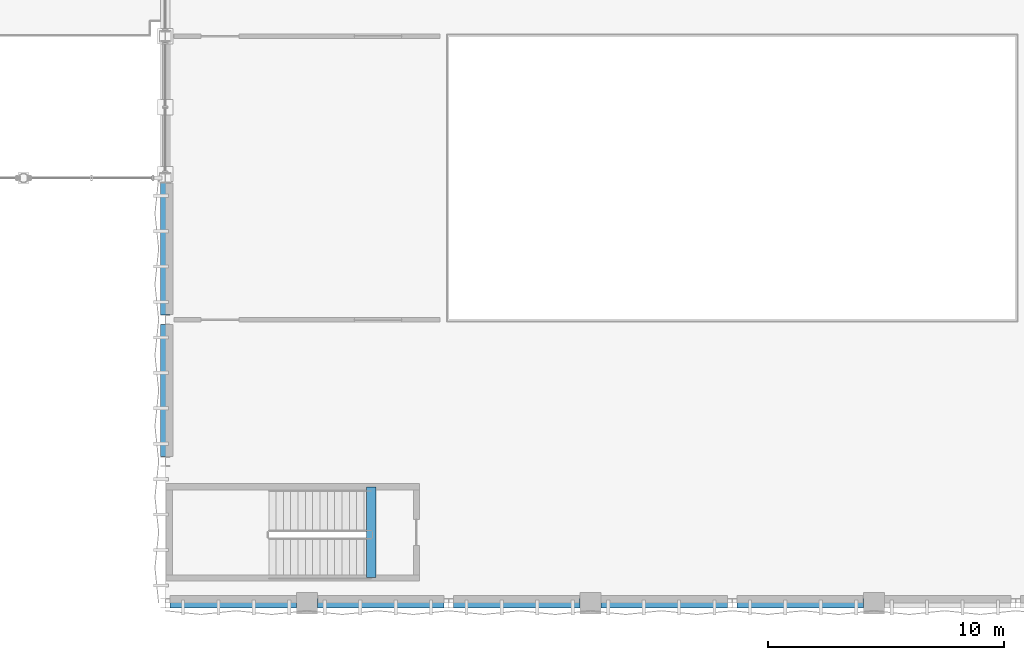
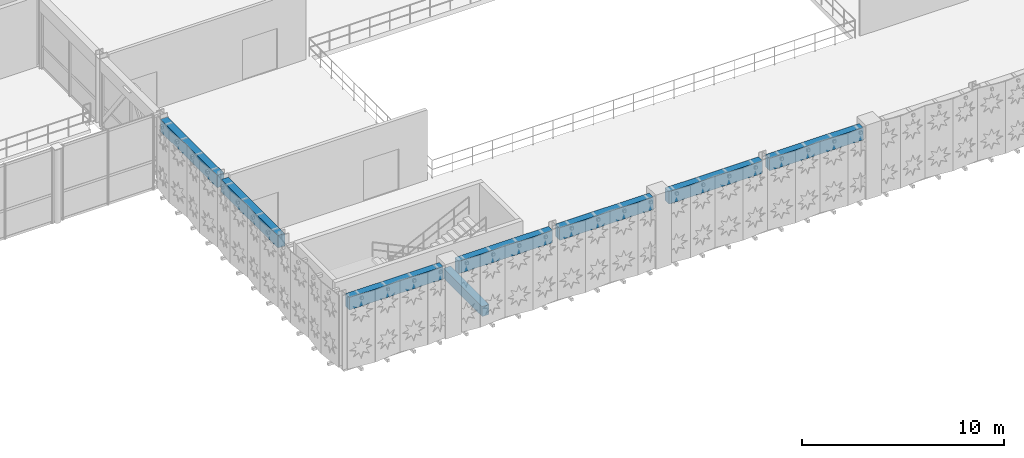
# One storey, part 20 of 116: 8 beams.
"""IFC4 building model written with IfcOpenShell, lengths in metres."""

import ifcopenshell
import ifcopenshell.guid

model = None  # the IFC model being written
_history = None  # IfcOwnerHistory: only IFC2X3 demands one
_inside = {}  # id of a spatial element -> (the spatial element, [elements in it])
_under = {}  # id of a project, library or spatial element -> (it, [spatial elements below it])
_declared = {}  # id of a project -> (the project, [libraries it declares])
_typed = {}  # id of a type object -> (the type object, [elements of that type])
_made_of = {}  # id of a material, layer set ... -> (it, [elements and type objects made of it])


def new_model(schema):
    """Start an empty IFC model of exactly this schema.

    Asked for "IFC4X3", IfcOpenShell would pick the latest addendum, in which some entities
    have other attributes; the version numbers below select the first issue.
    IFC2X3 requires an IfcOwnerHistory on every rooted entity: one is made here for all.
    """
    global model, _history
    if schema == "IFC4X3":
        model = ifcopenshell.file(schema_version=(4, 3, 0, 0))
    else:
        model = ifcopenshell.file(schema=schema)
    _inside.clear()
    _under.clear()
    _declared.clear()
    _typed.clear()
    _made_of.clear()
    _history = None
    if model.schema == "IFC2X3":
        org = make("IfcOrganization", Name="unknown")
        user = make(
            "IfcPersonAndOrganization",
            ThePerson=make("IfcPerson", FamilyName="unknown"),
            TheOrganization=org,
        )
        app = make(
            "IfcApplication",
            ApplicationDeveloper=org,
            Version="unknown",
            ApplicationFullName="unknown",
            ApplicationIdentifier="unknown",
        )
        _history = make(
            "IfcOwnerHistory",
            OwningUser=user,
            OwningApplication=app,
            ChangeAction="ADDED",
            CreationDate=0,
        )
    return model


def make(cls, **values):
    """One entity of the class cls with the attributes given. An attribute that is None is left unset."""
    return model.create_entity(
        cls, **{name: value for name, value in values.items() if value is not None}
    )


def rooted(cls, **values):
    """An entity with a GlobalId (a new one), such as an element, a storey or a relation."""
    return make(cls, GlobalId=ifcopenshell.guid.new(), OwnerHistory=_history, **values)


def si_unit(unit_type, name, prefix=None):
    """IfcSIUnit, for example si_unit("LENGTHUNIT", "METRE", prefix="MILLI")."""
    return make("IfcSIUnit", UnitType=unit_type, Prefix=prefix, Name=name)


def assignment(units):
    """IfcUnitAssignment: the units of a project."""
    return None if units is None else make("IfcUnitAssignment", Units=units)


def point(xyz):
    """IfcCartesianPoint."""
    return None if xyz is None else make("IfcCartesianPoint", Coordinates=xyz)


def direction(xyz):
    """IfcDirection."""
    return None if xyz is None else make("IfcDirection", DirectionRatios=xyz)


def frame(location, z_axis=None, x_axis=None):
    """IfcAxis2Placement3D, a coordinate frame: its origin and axes. An axis left out is left unset."""
    return make(
        "IfcAxis2Placement3D",
        Location=point(location),
        Axis=direction(z_axis),
        RefDirection=direction(x_axis),
    )


def frame_2d(location, x_axis=None):
    """IfcAxis2Placement2D, a coordinate frame in the plane: its origin and x axis."""
    return make(
        "IfcAxis2Placement2D", Location=point(location), RefDirection=direction(x_axis)
    )


def origin():
    """The frame at (0, 0, 0) with its axes left unset."""
    return frame((0.0, 0.0, 0.0))


def origin_2d():
    """The frame at (0, 0) in the plane with its x axis left unset."""
    return frame_2d((0.0, 0.0))


def place(relative_to, where):
    """IfcLocalPlacement: puts the frame where relative to a parent placement (None: the world)."""
    return make(
        "IfcLocalPlacement", PlacementRelTo=relative_to, RelativePlacement=where
    )


def context(
    kind, dimensions, precision=None, world=None, true_north=None, identifier=None
):
    """IfcGeometricRepresentationContext, for example the 3D "Model" context."""
    return make(
        "IfcGeometricRepresentationContext",
        ContextIdentifier=identifier,
        ContextType=kind,
        CoordinateSpaceDimension=dimensions,
        Precision=precision,
        WorldCoordinateSystem=world,
        TrueNorth=true_north,
    )


def subcontext(parent, identifier, kind, view, scale=None):
    """IfcGeometricRepresentationSubContext, for example "Body" below "Model"."""
    return make(
        "IfcGeometricRepresentationSubContext",
        ContextIdentifier=identifier,
        ContextType=kind,
        ParentContext=parent,
        TargetScale=scale,
        TargetView=view,
    )


def project(units=None, contexts=None):
    """IfcProject with its units and contexts."""
    return rooted(
        "IfcProject",
        Name="project",
        RepresentationContexts=contexts,
        UnitsInContext=assignment(units),
    )


def spatial(cls, under=None, at=None, **own):
    """A site, building, storey or space (cls), placed at a placement, below another one or the project."""
    s = rooted(cls, ObjectPlacement=at, **own)
    if under is not None:
        _under.setdefault(under.id(), (under, []))[1].append(s)
    return s


def profile(cls, at=None, kind="AREA", **sizes):
    """A parametric profile (cls). Its sizes go by their IFC names, for example OverallWidth=200.0."""
    return make(cls, ProfileType=kind, Position=at, **sizes)


def rectangle(**sizes):
    """IfcRectangleProfileDef."""
    return profile("IfcRectangleProfileDef", **sizes)


def extrude(swept, where, along, depth):
    """IfcExtrudedAreaSolid: the profile swept, set in the frame where, extruded along a direction by depth."""
    return make(
        "IfcExtrudedAreaSolid",
        SweptArea=swept,
        Position=where,
        ExtrudedDirection=direction(along),
        Depth=depth,
    )


def shape(context_of_items, identifier, shape_type, items):
    """IfcShapeRepresentation: the items that make up one representation, for example the "Body"."""
    return make(
        "IfcShapeRepresentation",
        ContextOfItems=context_of_items,
        RepresentationIdentifier=identifier,
        RepresentationType=shape_type,
        Items=items,
    )


def material(Name=None, Category=None):
    """IfcMaterial."""
    return make("IfcMaterial", Name=Name, Category=Category)


def material_profile(
    of_material, cross_section, Name=None, Category=None, Priority=None
):
    """IfcMaterialProfile: a cross section and its material."""
    return make(
        "IfcMaterialProfile",
        Name=Name,
        Material=of_material,
        Profile=cross_section,
        Priority=Priority,
        Category=Category,
    )


def profile_set(profiles, Name=None, composite=None):
    """IfcMaterialProfileSet."""
    return make(
        "IfcMaterialProfileSet",
        Name=Name,
        MaterialProfiles=profiles,
        CompositeProfile=composite,
    )


def made_of(thing, what):
    """Note that an element or type object is made of a material, layer set ...; save() writes the relation."""
    if what is not None:
        _made_of.setdefault(what.id(), (what, []))[1].append(thing)
    return thing


def type_object(cls, material=None, **own):
    """A type object (cls), such as IfcWallType, which elements share."""
    return made_of(rooted(cls, **own), material)


def element(
    cls,
    number,
    at=None,
    inside=None,
    cuts=None,
    type_object=None,
    material=None,
    context=None,
    identifier="Body",
    shape_type=None,
    held_by="IfcProductDefinitionShape",
    body=None,
    shapes=None,
    **own,
):
    """One element of the class cls, such as IfcWall. Its Tag is "e" and its number.

    at: its placement. inside: the storey or other place that contains it. cuts: it is an
    opening in that element (IfcRelVoidsElement). A single representation is given by context,
    identifier, shape_type and body (its items); several are given by shapes. held_by: the class
    of the entity that holds the representations. save() writes the other relations.
    """
    e = rooted(cls, Tag="e%d" % number, ObjectPlacement=at, **own)
    if body is not None:
        shapes = [shape(context, identifier, shape_type, body)]
    if shapes is not None:
        e.Representation = make(held_by, Representations=shapes)
    if inside is not None:
        _inside.setdefault(inside.id(), (inside, []))[1].append(e)
    if cuts is not None:
        rooted(
            "IfcRelVoidsElement", RelatingBuildingElement=cuts, RelatedOpeningElement=e
        )
    if type_object is not None:
        _typed.setdefault(type_object.id(), (type_object, []))[1].append(e)
    return made_of(e, material)


def aggregate(whole, parts):
    """IfcRelAggregates: a whole, such as a stair, and the parts it consists of."""
    return rooted("IfcRelAggregates", RelatingObject=whole, RelatedObjects=parts)


def save(model, path):
    """Write the relations noted so far, then the file.

    IfcRelAggregates (storeys below a building ...), IfcRelContainedInSpatialStructure (elements
    in a storey), IfcRelDefinesByType, IfcRelAssociatesMaterial and IfcRelDeclares: one each for
    every whole, place, type object, material and project.
    """
    for whole, parts in _under.values():
        aggregate(whole, parts)
    for where, things in _inside.values():
        rooted(
            "IfcRelContainedInSpatialStructure",
            RelatedElements=things,
            RelatingStructure=where,
        )
    for kind, things in _typed.values():
        rooted("IfcRelDefinesByType", RelatedObjects=things, RelatingType=kind)
    for what, things in _made_of.values():
        rooted("IfcRelAssociatesMaterial", RelatedObjects=things, RelatingMaterial=what)
    for by, libraries in _declared.values():
        rooted("IfcRelDeclares", RelatingContext=by, RelatedDefinitions=libraries)
    model.write(path)


model = new_model("IFC4")

# Units and contexts
model_context = context("Model", 3, precision=1e-05, world=origin(), true_north=direction((0.0, 1.0)))
body_context = subcontext(model_context, "Body", "Model", "MODEL_VIEW")
ifc_project = project(units=[si_unit("LENGTHUNIT", "METRE"), si_unit("AREAUNIT", "SQUARE_METRE"), si_unit("VOLUMEUNIT", "CUBIC_METRE"), si_unit("PLANEANGLEUNIT", "RADIAN"), si_unit("MASSUNIT", "GRAM", prefix="KILO"), si_unit("THERMODYNAMICTEMPERATUREUNIT", "KELVIN"), si_unit("POWERUNIT", "WATT")], contexts=[model_context])

# Site, building, storey
site_placement = place(None, origin())
site = spatial("IfcSite", under=ifc_project, at=site_placement, CompositionType="ELEMENT")
building_placement = place(site_placement, origin())
building = spatial("IfcBuilding", under=site, at=building_placement, Name="Phaisarnlok Congress Hotel", CompositionType="ELEMENT")
storey_placement = place(building_placement, frame((0.0, 0.0, 10.5)))
storey = spatial("IfcBuildingStorey", under=building, at=storey_placement, Name="L02", CompositionType="ELEMENT", Elevation=10.5)

# Beams
ifc_material = material(Name="Concrete C40/50", Category="concrete")
ifc_material_profile_1 = material_profile(ifc_material, rectangle(XDim=0.39990234375, YDim=0.60009765625, at=origin_2d()), Name="RC 400x600")
ifc_profile_set_1 = profile_set([ifc_material_profile_1], Name="Concrete C40/50")
beam_type_1 = type_object("IfcBeamType", Name="BM-RC-400x600", PredefinedType="BEAM", material=ifc_profile_set_1)
beam_1_placement = place(storey_placement, frame((104.719970703125, 1.080078125, -0.300048828125), z_axis=(0.0, 1.0, 0.0), x_axis=(-1.0, 0.0, 0.0)))
element("IfcBeam", 1, at=beam_1_placement, inside=storey, type_object=beam_type_1, Name="Stair landing header beam B-02 (STAIR-S L02)", PredefinedType="BEAM", context=body_context, shape_type="SweptSolid", body=[
    extrude(rectangle(XDim=0.39990234375, YDim=0.60009765625, at=origin_2d()), origin(), (0.0, 0.0, 1.0), 3.83984375),
])
ifc_material_profile_2 = material_profile(ifc_material, rectangle(XDim=0.39990234375, YDim=0.75, at=origin_2d()), Name="RC 400x750")
ifc_profile_set_2 = profile_set([ifc_material_profile_2], Name="Concrete C40/50")
beam_type_2 = type_object("IfcBeamType", Name="SP-RC-400x750", PredefinedType="SPANDREL", material=ifc_profile_set_2)
beam_2_placement = place(storey_placement, frame((96.197998046875, 0.0, 3.864990234375), z_axis=(1.0, 0.0, 0.0), x_axis=(0.0, 1.0, 0.0)))
element("IfcBeam", 2, at=beam_2_placement, inside=storey, type_object=beam_type_2, Name="Beam SP-02", PredefinedType="SPANDREL", context=body_context, shape_type="SweptSolid", body=[
    extrude(rectangle(XDim=0.39990234375, YDim=0.75, at=origin_2d()), origin(), (0.0, 0.0, 1.0), 5.35693359375),
])
for number, where, z_axis, x_axis, name in (
    (3, (96.0, 6.202880859375, 3.864990234375), (0.0, 1.0, 0.0), (-1.0, 0.0, 0.0), "Beam SP-02"),
    (4, (96.0, 12.202880859375, 3.864990234375), (0.0, 1.0, 0.0), (-1.0, 0.0, 0.0), "Beam SP-02"),
):
    element("IfcBeam", number, at=place(storey_placement, frame(where, z_axis=z_axis, x_axis=x_axis)), inside=storey, type_object=beam_type_2, Name=name, PredefinedType="SPANDREL", context=body_context, shape_type="SweptSolid", body=[
        extrude(rectangle(XDim=0.39990234375, YDim=0.75, at=origin_2d()), origin(), (0.0, 0.0, 1.0), 5.59423828125),
    ])
for number, where, z_axis, x_axis, name in (
    (5, (102.445068359375, 0.0, 3.864990234375), (1.0, 0.0, 0.0), (0.0, 1.0, 0.0), "Beam SP-02"),
    (6, (108.197998046875, 0.0, 3.864990234375), (1.0, 0.0, 0.0), (0.0, 1.0, 0.0), "Beam SP-02"),
    (7, (114.445068359375, 0.0, 3.864990234375), (1.0, 0.0, 0.0), (0.0, 1.0, 0.0), "Beam SP-02"),
    (8, (120.197998046875, 0.0, 3.864990234375), (1.0, 0.0, 0.0), (0.0, 1.0, 0.0), "Beam SP-02"),
):
    element("IfcBeam", number, at=place(storey_placement, frame(where, z_axis=z_axis, x_axis=x_axis)), inside=storey, type_object=beam_type_2, Name=name, PredefinedType="SPANDREL", context=body_context, shape_type="SweptSolid", body=[
        extrude(rectangle(XDim=0.39990234375, YDim=0.75, at=origin_2d()), origin(), (0.0, 0.0, 1.0), 5.35693359375),
    ])

save(model, "model.ifc")
